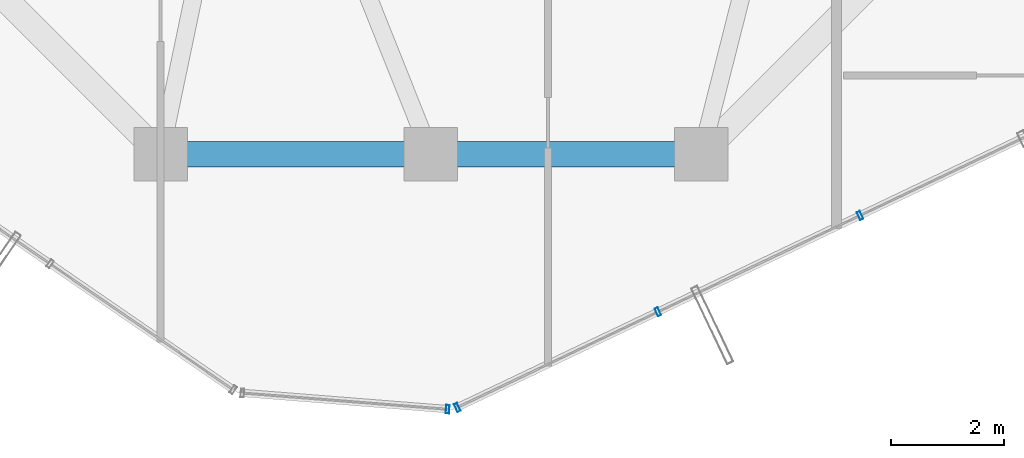
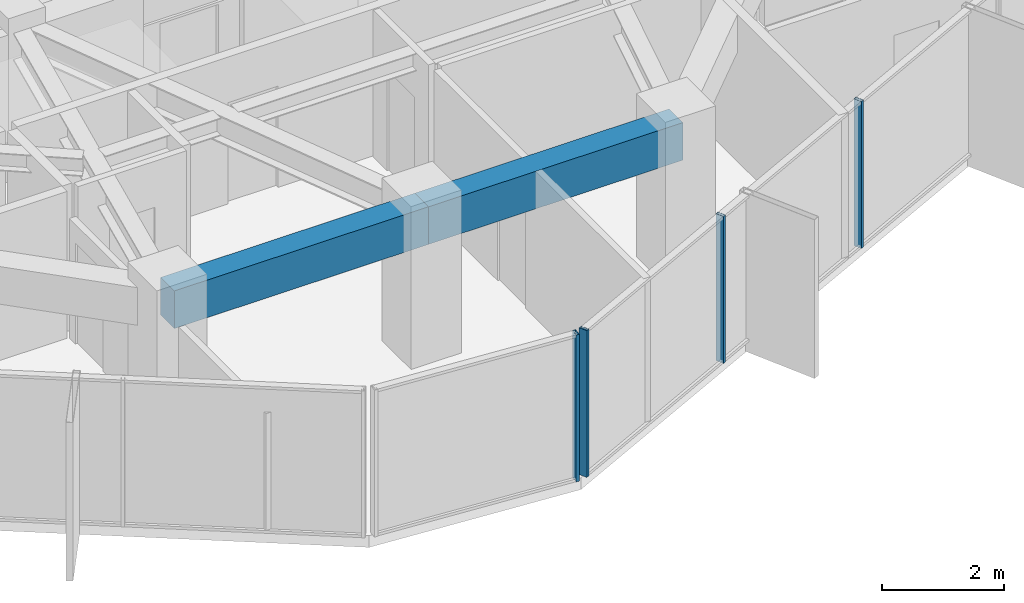
# One storey, part 6 of 29: 4 members, 2 beams, 2 elements without a shape of their own.
"""IFC4 building model written with IfcOpenShell, lengths in metres."""

from ifc_helpers import new_model, si_unit, direction, frame, origin, origin_2d, place, context, subcontext, project, spatial, rectangle, hollow_rectangle, extrude, source, transform, mapped, material, layer, layer_set, material_profile, profile_set, type_object, element, aggregate, save


model = new_model("IFC4")

# Units and contexts
model_context = context("Model", 3, precision=1e-05, world=origin(), true_north=direction((0.0, 1.0)))
body_context = subcontext(model_context, "Body", "Model", "MODEL_VIEW")
ifc_project = project(units=[si_unit("LENGTHUNIT", "METRE"), si_unit("AREAUNIT", "SQUARE_METRE"), si_unit("VOLUMEUNIT", "CUBIC_METRE"), si_unit("PLANEANGLEUNIT", "RADIAN"), si_unit("MASSUNIT", "GRAM", prefix="KILO")], contexts=[model_context])

# Site, building, storey
site_placement = place(None, origin())
site = spatial("IfcSite", under=ifc_project, at=site_placement, CompositionType="ELEMENT")
building_placement = place(site_placement, origin())
building = spatial("IfcBuilding", under=site, at=building_placement, Name="Veraguas Prism Commons", CompositionType="ELEMENT")
storey_placement = place(building_placement, frame((0.0, 0.0, 222.14990234375)))
storey = spatial("IfcBuildingStorey", under=building, at=storey_placement, Name="L63", CompositionType="ELEMENT", Elevation=222.14990234375)

# Beams
ifc_material_1 = material(Name="Concrete C50/60", Category="concrete")
ifc_material_profile_1 = material_profile(ifc_material_1, rectangle(XDim=0.449951171875, YDim=0.75, at=origin_2d()), Name="RC450X750")
ifc_profile_set_1 = profile_set([ifc_material_profile_1], Name="Concrete C50/60")
beam_type = type_object("IfcBeamType", Name="Perimeter Spandrel Upper RC 450x750", PredefinedType="SPANDREL", material=ifc_profile_set_1)
for number, where, z_axis, x_axis, name in (
    (1, (19.199951171875, 9.10009765625, 2.55517578125), (1.0, 0.0, 0.0), (0.0, 1.0, 0.0), "Perimeter Spandrel Beam L63-SP10"),
    (2, (24.0, 9.10009765625, 2.55517578125), (1.0, 0.0, 0.0), (0.0, 1.0, 0.0), "Perimeter Spandrel Beam L63-SP11"),
):
    element("IfcBeam", number, at=place(storey_placement, frame(where, z_axis=z_axis, x_axis=x_axis)), inside=storey, type_object=beam_type, Name=name, PredefinedType="SPANDREL", context=body_context, shape_type="SweptSolid", body=[
        extrude(rectangle(XDim=0.449951171875, YDim=0.75, at=origin_2d()), origin(), (0.0, 0.0, 1.0), 4.800048828125),
    ])

# Curtain wall, members
ifc_material_2 = material(Name="Anodised aluminium EN AW-6063 T6", Category="aluminium")
ifc_layer = layer(ifc_material_2, 0.14990234375, Name="Unitised Flush Curtain Wall Zone 3", Category="aluminium")
ifc_layer_set = layer_set([ifc_layer], Name="Anodised aluminium EN AW-6063 T6")
curtain_wall_type = type_object("IfcCurtainWallType", Name="Unitised Flush Curtain Wall Zone 3", PredefinedType="NOTDEFINED", material=ifc_layer_set)
curtain_wall_1_placement = place(storey_placement, origin())
curtain_wall_1 = element("IfcCurtainWall", 3, at=curtain_wall_1_placement, inside=storey, type_object=curtain_wall_type, Name="Tower Facade Curtain Wall L63-F5", PredefinedType="NOTDEFINED")
ifc_material_profile_2 = material_profile(ifc_material_2, hollow_rectangle(XDim=0.06005859375, YDim=0.14990234375, WallThickness=0.0029296875, at=origin_2d()), Name="AL60X150X3")
ifc_profile_set_2 = profile_set([ifc_material_profile_2], Name="Anodised aluminium EN AW-6063 T6")
member_type = type_object("IfcMemberType", Name="Curtain Wall Mullion Upper AL 60x150x3", PredefinedType="MULLION", material=ifc_profile_set_2)
shared_shape = source(origin(), body_context, "Body", "SweptSolid", [
    extrude(hollow_rectangle(XDim=0.06005859375, YDim=0.14990234375, WallThickness=0.0029296875, at=origin_2d()), origin(), (0.0, 0.0, 1.0), 2.93017578125),
])
member_1_placement = place(storey_placement, frame((24.46826171875, 4.604736328125, 0.0), z_axis=(0.0, 0.0, 1.0), x_axis=(0.902733253567, 0.430200735593, 0.0)))
member_1 = element("IfcMember", 4, at=member_1_placement, type_object=member_type, Name="CW-Z3 Mullion 1", PredefinedType="MULLION", context=body_context, shape_type="MappedRepresentation", body=[
    mapped(shared_shape, transform((0.0, 0.0, 0.0), scale=1.0)),
])
member_2_placement = place(storey_placement, frame((28.030029296875, 6.302001953125, 0.0), z_axis=(0.0, 0.0, 1.0), x_axis=(0.902733253567, 0.430200735593, 0.0)))
member_2 = element("IfcMember", 5, at=member_2_placement, type_object=member_type, Name="CW-Z3 Mullion 2", PredefinedType="MULLION", context=body_context, shape_type="MappedRepresentation", body=[
    mapped(shared_shape, transform((0.0, 0.0, 0.0), scale=1.0)),
])
member_3_placement = place(storey_placement, frame((31.618896484375, 8.012451171875, 0.0), z_axis=(0.0, 0.0, 1.0), x_axis=(0.902733253567, 0.430200735593, 0.0)))
member_3 = element("IfcMember", 6, at=member_3_placement, type_object=member_type, Name="CW-Z3 Mullion 3", PredefinedType="MULLION", context=body_context, shape_type="MappedRepresentation", body=[
    mapped(shared_shape, transform((0.0, 0.0, 0.0), scale=1.0)),
])
aggregate(curtain_wall_1, [member_1, member_2, member_3])

# Curtain wall, member
curtain_wall_2_placement = place(storey_placement, origin())
curtain_wall_2 = element("IfcCurtainWall", 7, at=curtain_wall_2_placement, inside=storey, type_object=curtain_wall_type, Name="Chamfer Curtain Wall L63-C5", PredefinedType="NOTDEFINED")
member_4_placement = place(storey_placement, frame((24.297119140625, 4.572998046875, 0.0), z_axis=(0.0, 0.0, 1.0), x_axis=(0.99689043576, -0.078800121131, 0.0)))
member_4 = element("IfcMember", 8, at=member_4_placement, type_object=member_type, Name="CW-Z3 Mullion 2", PredefinedType="MULLION", context=body_context, shape_type="MappedRepresentation", body=[
    mapped(shared_shape, transform((0.0, 0.0, 0.0), scale=1.0)),
])
aggregate(curtain_wall_2, [member_4])

save(model, "model.ifc")
